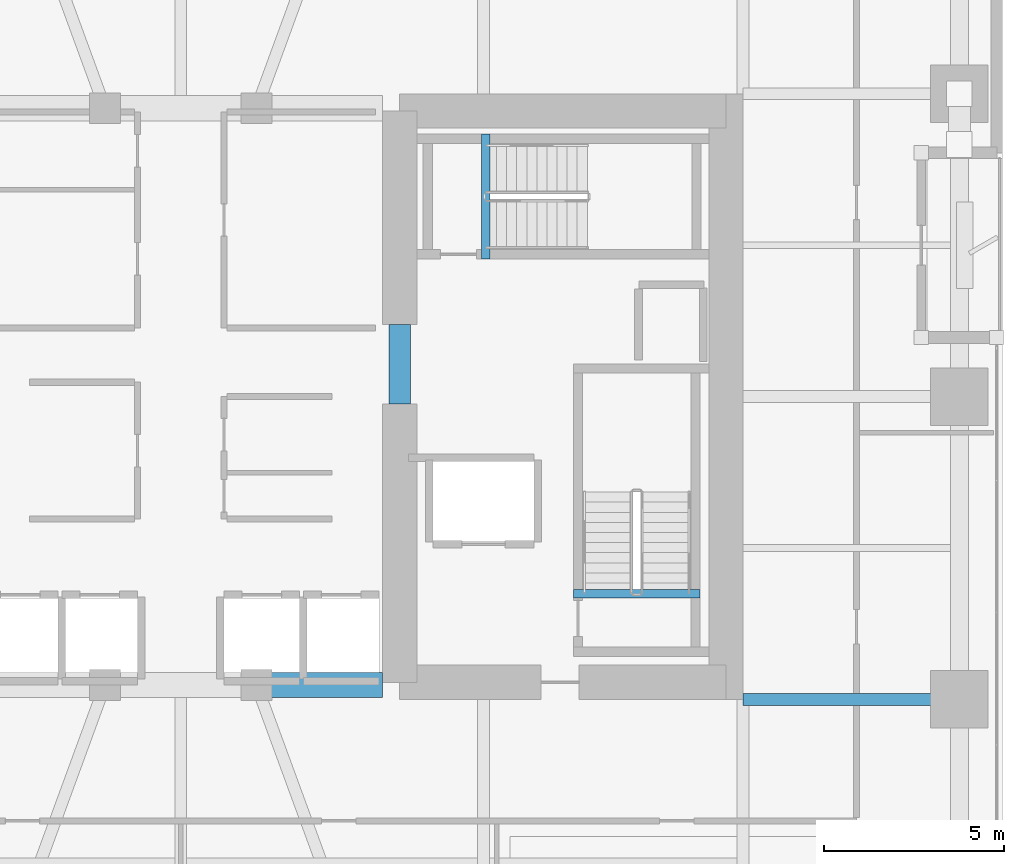
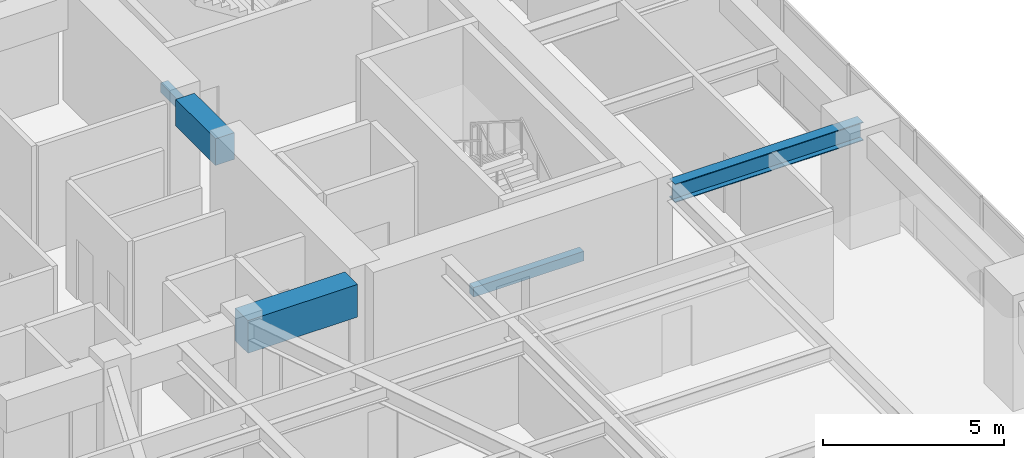
# One storey, part 5 of 24: 5 beams.
"""IFC4 building model written with IfcOpenShell, lengths in metres."""

import ifcopenshell
import ifcopenshell.guid

model = None  # the IFC model being written
_history = None  # IfcOwnerHistory: only IFC2X3 demands one
_inside = {}  # id of a spatial element -> (the spatial element, [elements in it])
_under = {}  # id of a project, library or spatial element -> (it, [spatial elements below it])
_declared = {}  # id of a project -> (the project, [libraries it declares])
_typed = {}  # id of a type object -> (the type object, [elements of that type])
_made_of = {}  # id of a material, layer set ... -> (it, [elements and type objects made of it])


def new_model(schema):
    """Start an empty IFC model of exactly this schema.

    Asked for "IFC4X3", IfcOpenShell would pick the latest addendum, in which some entities
    have other attributes; the version numbers below select the first issue.
    IFC2X3 requires an IfcOwnerHistory on every rooted entity: one is made here for all.
    """
    global model, _history
    if schema == "IFC4X3":
        model = ifcopenshell.file(schema_version=(4, 3, 0, 0))
    else:
        model = ifcopenshell.file(schema=schema)
    _inside.clear()
    _under.clear()
    _declared.clear()
    _typed.clear()
    _made_of.clear()
    _history = None
    if model.schema == "IFC2X3":
        org = make("IfcOrganization", Name="unknown")
        user = make(
            "IfcPersonAndOrganization",
            ThePerson=make("IfcPerson", FamilyName="unknown"),
            TheOrganization=org,
        )
        app = make(
            "IfcApplication",
            ApplicationDeveloper=org,
            Version="unknown",
            ApplicationFullName="unknown",
            ApplicationIdentifier="unknown",
        )
        _history = make(
            "IfcOwnerHistory",
            OwningUser=user,
            OwningApplication=app,
            ChangeAction="ADDED",
            CreationDate=0,
        )
    return model


def make(cls, **values):
    """One entity of the class cls with the attributes given. An attribute that is None is left unset."""
    return model.create_entity(
        cls, **{name: value for name, value in values.items() if value is not None}
    )


def rooted(cls, **values):
    """An entity with a GlobalId (a new one), such as an element, a storey or a relation."""
    return make(cls, GlobalId=ifcopenshell.guid.new(), OwnerHistory=_history, **values)


def si_unit(unit_type, name, prefix=None):
    """IfcSIUnit, for example si_unit("LENGTHUNIT", "METRE", prefix="MILLI")."""
    return make("IfcSIUnit", UnitType=unit_type, Prefix=prefix, Name=name)


def assignment(units):
    """IfcUnitAssignment: the units of a project."""
    return None if units is None else make("IfcUnitAssignment", Units=units)


def point(xyz):
    """IfcCartesianPoint."""
    return None if xyz is None else make("IfcCartesianPoint", Coordinates=xyz)


def direction(xyz):
    """IfcDirection."""
    return None if xyz is None else make("IfcDirection", DirectionRatios=xyz)


def frame(location, z_axis=None, x_axis=None):
    """IfcAxis2Placement3D, a coordinate frame: its origin and axes. An axis left out is left unset."""
    return make(
        "IfcAxis2Placement3D",
        Location=point(location),
        Axis=direction(z_axis),
        RefDirection=direction(x_axis),
    )


def frame_2d(location, x_axis=None):
    """IfcAxis2Placement2D, a coordinate frame in the plane: its origin and x axis."""
    return make(
        "IfcAxis2Placement2D", Location=point(location), RefDirection=direction(x_axis)
    )


def origin():
    """The frame at (0, 0, 0) with its axes left unset."""
    return frame((0.0, 0.0, 0.0))


def origin_2d():
    """The frame at (0, 0) in the plane with its x axis left unset."""
    return frame_2d((0.0, 0.0))


def place(relative_to, where):
    """IfcLocalPlacement: puts the frame where relative to a parent placement (None: the world)."""
    return make(
        "IfcLocalPlacement", PlacementRelTo=relative_to, RelativePlacement=where
    )


def context(
    kind, dimensions, precision=None, world=None, true_north=None, identifier=None
):
    """IfcGeometricRepresentationContext, for example the 3D "Model" context."""
    return make(
        "IfcGeometricRepresentationContext",
        ContextIdentifier=identifier,
        ContextType=kind,
        CoordinateSpaceDimension=dimensions,
        Precision=precision,
        WorldCoordinateSystem=world,
        TrueNorth=true_north,
    )


def subcontext(parent, identifier, kind, view, scale=None):
    """IfcGeometricRepresentationSubContext, for example "Body" below "Model"."""
    return make(
        "IfcGeometricRepresentationSubContext",
        ContextIdentifier=identifier,
        ContextType=kind,
        ParentContext=parent,
        TargetScale=scale,
        TargetView=view,
    )


def project(units=None, contexts=None):
    """IfcProject with its units and contexts."""
    return rooted(
        "IfcProject",
        Name="project",
        RepresentationContexts=contexts,
        UnitsInContext=assignment(units),
    )


def spatial(cls, under=None, at=None, **own):
    """A site, building, storey or space (cls), placed at a placement, below another one or the project."""
    s = rooted(cls, ObjectPlacement=at, **own)
    if under is not None:
        _under.setdefault(under.id(), (under, []))[1].append(s)
    return s


def profile(cls, at=None, kind="AREA", **sizes):
    """A parametric profile (cls). Its sizes go by their IFC names, for example OverallWidth=200.0."""
    return make(cls, ProfileType=kind, Position=at, **sizes)


def rectangle(**sizes):
    """IfcRectangleProfileDef."""
    return profile("IfcRectangleProfileDef", **sizes)


def i_section(**sizes):
    """IfcIShapeProfileDef."""
    return profile("IfcIShapeProfileDef", **sizes)


def extrude(swept, where, along, depth):
    """IfcExtrudedAreaSolid: the profile swept, set in the frame where, extruded along a direction by depth."""
    return make(
        "IfcExtrudedAreaSolid",
        SweptArea=swept,
        Position=where,
        ExtrudedDirection=direction(along),
        Depth=depth,
    )


def shape(context_of_items, identifier, shape_type, items):
    """IfcShapeRepresentation: the items that make up one representation, for example the "Body"."""
    return make(
        "IfcShapeRepresentation",
        ContextOfItems=context_of_items,
        RepresentationIdentifier=identifier,
        RepresentationType=shape_type,
        Items=items,
    )


def material(Name=None, Category=None):
    """IfcMaterial."""
    return make("IfcMaterial", Name=Name, Category=Category)


def material_profile(
    of_material, cross_section, Name=None, Category=None, Priority=None
):
    """IfcMaterialProfile: a cross section and its material."""
    return make(
        "IfcMaterialProfile",
        Name=Name,
        Material=of_material,
        Profile=cross_section,
        Priority=Priority,
        Category=Category,
    )


def profile_set(profiles, Name=None, composite=None):
    """IfcMaterialProfileSet."""
    return make(
        "IfcMaterialProfileSet",
        Name=Name,
        MaterialProfiles=profiles,
        CompositeProfile=composite,
    )


def made_of(thing, what):
    """Note that an element or type object is made of a material, layer set ...; save() writes the relation."""
    if what is not None:
        _made_of.setdefault(what.id(), (what, []))[1].append(thing)
    return thing


def type_object(cls, material=None, **own):
    """A type object (cls), such as IfcWallType, which elements share."""
    return made_of(rooted(cls, **own), material)


def element(
    cls,
    number,
    at=None,
    inside=None,
    cuts=None,
    type_object=None,
    material=None,
    context=None,
    identifier="Body",
    shape_type=None,
    held_by="IfcProductDefinitionShape",
    body=None,
    shapes=None,
    **own,
):
    """One element of the class cls, such as IfcWall. Its Tag is "e" and its number.

    at: its placement. inside: the storey or other place that contains it. cuts: it is an
    opening in that element (IfcRelVoidsElement). A single representation is given by context,
    identifier, shape_type and body (its items); several are given by shapes. held_by: the class
    of the entity that holds the representations. save() writes the other relations.
    """
    e = rooted(cls, Tag="e%d" % number, ObjectPlacement=at, **own)
    if body is not None:
        shapes = [shape(context, identifier, shape_type, body)]
    if shapes is not None:
        e.Representation = make(held_by, Representations=shapes)
    if inside is not None:
        _inside.setdefault(inside.id(), (inside, []))[1].append(e)
    if cuts is not None:
        rooted(
            "IfcRelVoidsElement", RelatingBuildingElement=cuts, RelatedOpeningElement=e
        )
    if type_object is not None:
        _typed.setdefault(type_object.id(), (type_object, []))[1].append(e)
    return made_of(e, material)


def aggregate(whole, parts):
    """IfcRelAggregates: a whole, such as a stair, and the parts it consists of."""
    return rooted("IfcRelAggregates", RelatingObject=whole, RelatedObjects=parts)


def save(model, path):
    """Write the relations noted so far, then the file.

    IfcRelAggregates (storeys below a building ...), IfcRelContainedInSpatialStructure (elements
    in a storey), IfcRelDefinesByType, IfcRelAssociatesMaterial and IfcRelDeclares: one each for
    every whole, place, type object, material and project.
    """
    for whole, parts in _under.values():
        aggregate(whole, parts)
    for where, things in _inside.values():
        rooted(
            "IfcRelContainedInSpatialStructure",
            RelatedElements=things,
            RelatingStructure=where,
        )
    for kind, things in _typed.values():
        rooted("IfcRelDefinesByType", RelatedObjects=things, RelatingType=kind)
    for what, things in _made_of.values():
        rooted("IfcRelAssociatesMaterial", RelatedObjects=things, RelatingMaterial=what)
    for by, libraries in _declared.values():
        rooted("IfcRelDeclares", RelatingContext=by, RelatedDefinitions=libraries)
    model.write(path)


model = new_model("IFC4")

# Units and contexts
model_context = context("Model", 3, precision=1e-05, world=origin(), true_north=direction((0.0, 1.0)))
body_context = subcontext(model_context, "Body", "Model", "MODEL_VIEW")
ifc_project = project(units=[si_unit("LENGTHUNIT", "METRE"), si_unit("AREAUNIT", "SQUARE_METRE"), si_unit("VOLUMEUNIT", "CUBIC_METRE"), si_unit("PLANEANGLEUNIT", "RADIAN"), si_unit("MASSUNIT", "GRAM", prefix="KILO")], contexts=[model_context])

# Site, building, storey
site_placement = place(None, origin())
site = spatial("IfcSite", under=ifc_project, at=site_placement, CompositionType="ELEMENT")
building_placement = place(site_placement, origin())
building = spatial("IfcBuilding", under=site, at=building_placement, Name="Kiyonajd Concourse Tower", CompositionType="ELEMENT")
storey_placement = place(building_placement, frame((0.0, 0.0, 89.699951171875)))
storey = spatial("IfcBuildingStorey", under=building, at=storey_placement, Name="L23", CompositionType="ELEMENT", Elevation=89.699951171875)

# Beams
ifc_material_1 = material(Name="Concrete C70/85", Category="concrete")
ifc_material_profile_1 = material_profile(ifc_material_1, rectangle(XDim=0.699951171875, YDim=1.10009765625, at=origin_2d()), Name="RCBM-700x1100")
ifc_profile_set_1 = profile_set([ifc_material_profile_1], Name="Concrete C70/85")
beam_type_1 = type_object("IfcBeamType", Name="BM-COUP-1100", PredefinedType="LINTEL", material=ifc_profile_set_1)
beam_1_placement = place(storey_placement, frame((50.10009765625, 28.0, 3.090087890625), z_axis=(1.0, 0.0, 0.0), x_axis=(0.0, 1.0, 0.0)))
element("IfcBeam", 1, at=beam_1_placement, inside=storey, type_object=beam_type_1, Name="L23 Core Coupling Beam S3", PredefinedType="LINTEL", context=body_context, shape_type="SweptSolid", body=[
    extrude(rectangle(XDim=0.699951171875, YDim=1.10009765625, at=origin_2d()), origin(), (0.0, 0.0, 1.0), 3.5),
])
ifc_material_2 = material(Name="Concrete C60/75", Category="concrete")
ifc_material_profile_2 = material_profile(ifc_material_2, rectangle(XDim=0.60009765625, YDim=0.89990234375, at=origin_2d()), Name="RCBM-600x900")
ifc_profile_set_2 = profile_set([ifc_material_profile_2], Name="Concrete C60/75")
beam_type_2 = type_object("IfcBeamType", Name="BM-COUP-900", PredefinedType="LINTEL", material=ifc_profile_set_2)
beam_2_placement = place(storey_placement, frame((54.074951171875, 35.800048828125, 3.090087890625), z_axis=(0.0, 1.0, 0.0), x_axis=(-1.0, 0.0, 0.0)))
element("IfcBeam", 2, at=beam_2_placement, inside=storey, type_object=beam_type_2, Name="L23 East Core Throat Coupling Lintel", PredefinedType="LINTEL", context=body_context, shape_type="SweptSolid", body=[
    extrude(rectangle(XDim=0.60009765625, YDim=0.89990234375, at=origin_2d()), origin(), (0.0, 0.0, 1.0), 2.199951171875),
])
ifc_material_3 = material(Name="Concrete C50/60", Category="concrete")
ifc_material_profile_3 = material_profile(ifc_material_3, rectangle(XDim=0.239990234375, YDim=0.320068359375, at=origin_2d()), Name="RCBM-240x320")
ifc_profile_set_3 = profile_set([ifc_material_profile_3], Name="Concrete C50/60")
beam_type_3 = type_object("IfcBeamType", Name="BM-LNT-250", PredefinedType="LINTEL", material=ifc_profile_set_3)
beam_3_placement = place(storey_placement, frame((58.889892578125, 30.530029296875, -0.159912109375), z_axis=(1.0, 0.0, 0.0), x_axis=(0.0, 1.0, 0.0)))
element("IfcBeam", 3, at=beam_3_placement, inside=storey, type_object=beam_type_3, Name="L23 Stair ST2 Threshold Support Beam", PredefinedType="LINTEL", context=body_context, shape_type="SweptSolid", body=[
    extrude(rectangle(XDim=0.239990234375, YDim=0.320068359375, at=origin_2d()), origin(), (0.0, 0.0, 1.0), 3.52001953125),
])
beam_4_placement = place(storey_placement, frame((56.4599609375, 39.820068359375, -0.159912109375), z_axis=(0.0, 1.0, 0.0), x_axis=(-1.0, 0.0, 0.0)))
element("IfcBeam", 4, at=beam_4_placement, inside=storey, type_object=beam_type_3, Name="L23 Stair ST3 Threshold Support Beam", PredefinedType="LINTEL", context=body_context, shape_type="SweptSolid", body=[
    extrude(rectangle(XDim=0.239990234375, YDim=0.320068359375, at=origin_2d()), origin(), (0.0, 0.0, 1.0), 3.4599609375),
])
ifc_material_4 = material(Name="Steel ASTM A992 Grade 50", Category="steel")
ifc_material_profile_4 = material_profile(ifc_material_4, i_section(OverallWidth=0.326904296875, OverallDepth=0.6220703125, WebThickness=0.015380859375, FlangeThickness=0.0244140625, at=origin_2d()), Name="W610X195")
ifc_profile_set_4 = profile_set([ifc_material_profile_4], Name="Steel ASTM A992 Grade 50")
beam_type_4 = type_object("IfcBeamType", Name="BM-TWR-610A", PredefinedType="BEAM", material=ifc_profile_set_4)
beam_5_placement = place(storey_placement, frame((63.60009765625, 27.60009765625, 3.3291015625), z_axis=(1.0, 0.0, 0.0), x_axis=(0.0, 1.0, 0.0)))
element("IfcBeam", 5, at=beam_5_placement, inside=storey, type_object=beam_type_4, Name="L23 East Lease Girder", PredefinedType="BEAM", context=body_context, shape_type="SweptSolid", body=[
    extrude(i_section(OverallWidth=0.326904296875, OverallDepth=0.6220703125, WebThickness=0.015380859375, FlangeThickness=0.0244140625, at=origin_2d()), origin(), (0.0, 0.0, 1.0), 6.0),
])

save(model, "model.ifc")
